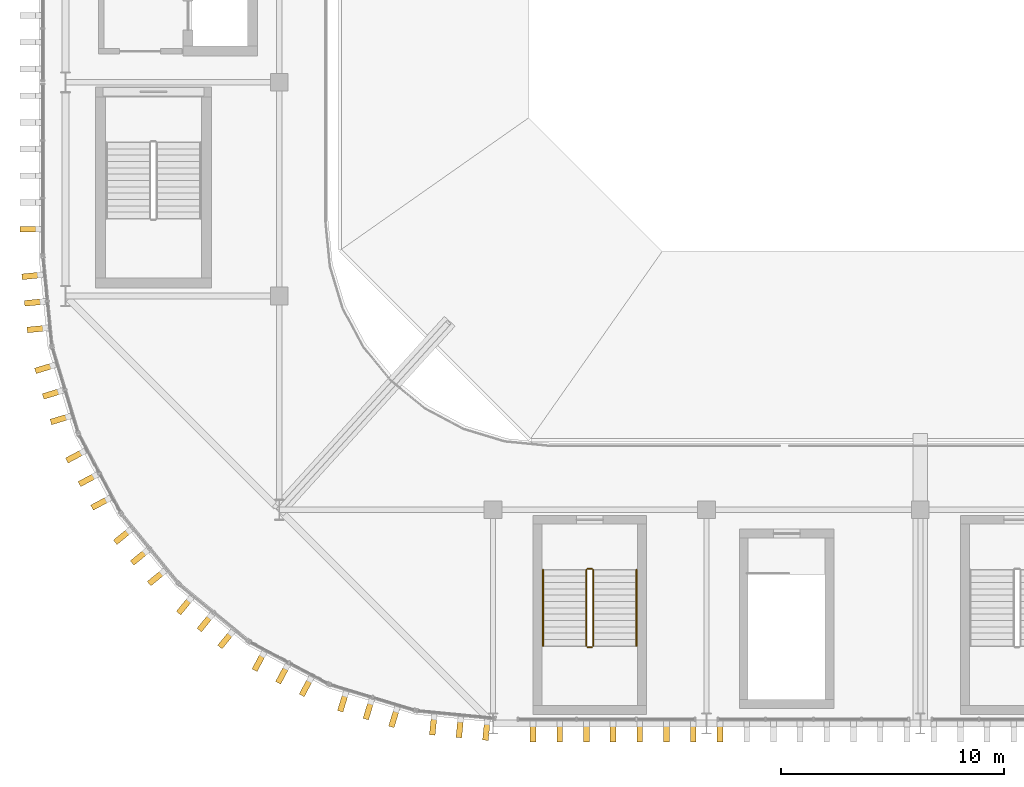
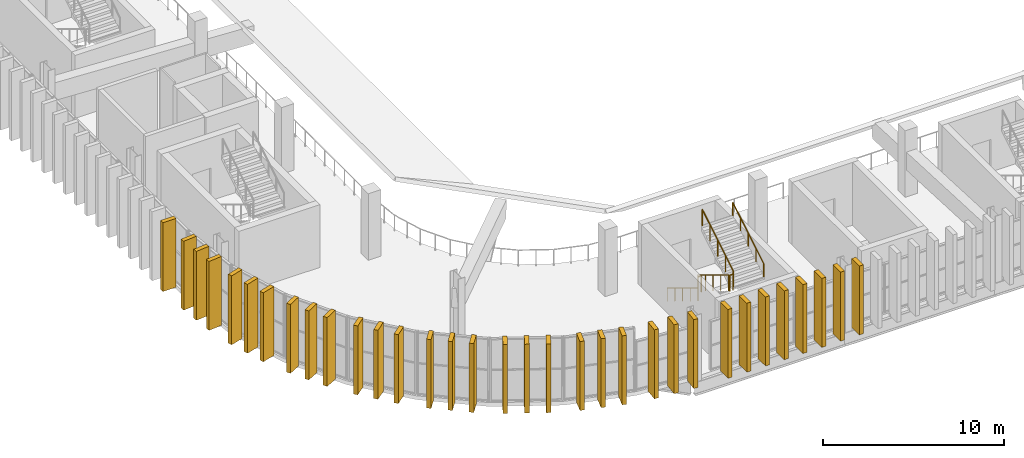
# One storey, part 54 of 69: 33 coverings, 6 railings.
"""IFC4 building model written with IfcOpenShell, lengths in metres."""

from ifc_helpers import new_model, si_unit, direction, frame, origin, origin_2d, place, context, subcontext, project, spatial, rectangle, circle, extrude, material, material_profile, profile_set, type_object, element, save


model = new_model("IFC4")

# Units and contexts
model_context = context("Model", 3, precision=1e-05, world=origin(), true_north=direction((0.0, 1.0)))
body_context = subcontext(model_context, "Body", "Model", "MODEL_VIEW")
ifc_project = project(units=[si_unit("LENGTHUNIT", "METRE"), si_unit("AREAUNIT", "SQUARE_METRE"), si_unit("VOLUMEUNIT", "CUBIC_METRE"), si_unit("PLANEANGLEUNIT", "RADIAN"), si_unit("MASSUNIT", "GRAM", prefix="KILO")], contexts=[model_context])

# Site, building, storey
site_placement = place(None, origin())
site = spatial("IfcSite", under=ifc_project, at=site_placement, CompositionType="ELEMENT")
building_placement = place(site_placement, origin())
building = spatial("IfcBuilding", under=site, at=building_placement, Name="Caelomonte Colonnade Arena", CompositionType="ELEMENT")
storey_placement = place(building_placement, frame((0.0, 0.0, 18.60009765625)))
storey = spatial("IfcBuildingStorey", under=building, at=storey_placement, Name="L04", CompositionType="ELEMENT", Elevation=18.60009765625)

# Coverings
ifc_material_1 = material(Name="Precast travertine cladding", Category="masonry")
ifc_material_profile = material_profile(ifc_material_1, rectangle(XDim=0.260009765625, YDim=0.85009765625, at=origin_2d()), Name="FIN260X850")
ifc_profile_set = profile_set([ifc_material_profile], Name="Precast travertine cladding")
covering_type = type_object("IfcCoveringType", Name="ENV-FN-SHAFT", PredefinedType="CLADDING", material=ifc_profile_set)
for number, where, z_axis, x_axis, name in (
    (1, (55.97900390625, 41.39990234375, -0.16015625), (0.0, 0.0, 1.0), (0.0, 1.0, 0.0), "V1 L04 classical travertine vertical fin 214"),
    (2, (56.065185546875, 39.304443359375, -0.16015625), (0.0, 0.0, 1.0), (-0.098015403404, 0.995184897743, 0.0), "V1 L04 classical travertine vertical fin 215"),
    (3, (56.182861328125, 38.1103515625, -0.16015625), (0.0, 0.0, 1.0), (-0.098015403404, 0.995184897743, 0.0), "V1 L04 classical travertine vertical fin 216"),
    (4, (56.30029296875, 36.916015625, -0.16015625), (0.0, 0.0, 1.0), (-0.098015403404, 0.995184897743, 0.0), "V1 L04 classical travertine vertical fin 217"),
    (5, (56.64990234375, 35.159423828125, -0.16015625), (0.0, 0.0, 1.0), (-0.290276326364, 0.956942868907, 0.0), "V1 L04 classical travertine vertical fin 218"),
    (6, (56.998046875, 34.010986328125, -0.16015625), (0.0, 0.0, 1.0), (-0.290276326364, 0.956942868907, 0.0), "V1 L04 classical travertine vertical fin 219"),
    (7, (57.346435546875, 32.86279296875, -0.16015625), (0.0, 0.0, 1.0), (-0.290276326364, 0.956942868907, 0.0), "V1 L04 classical travertine vertical fin 220"),
    (8, (58.03173828125, 31.2080078125, -0.16015625), (0.0, 0.0, 1.0), (-0.471396736826, 0.881921264348, 0.0), "V1 L04 classical travertine vertical fin 221"),
    (9, (58.597412109375, 30.14990234375, -0.16015625), (0.0, 0.0, 1.0), (-0.471396736826, 0.881921264348, 0.0), "V1 L04 classical travertine vertical fin 222"),
    (10, (59.1630859375, 29.091552734375, -0.16015625), (0.0, 0.0, 1.0), (-0.471396736826, 0.881921264348, 0.0), "V1 L04 classical travertine vertical fin 223"),
    (11, (60.158203125, 27.602294921875, -0.16015625), (0.0, 0.0, 1.0), (-0.634413521313, 0.77299384472, 0.0), "V1 L04 classical travertine vertical fin 224"),
    (12, (60.91943359375, 26.6748046875, -0.16015625), (0.0, 0.0, 1.0), (-0.634413521313, 0.77299384472, 0.0), "V1 L04 classical travertine vertical fin 225"),
    (13, (61.680908203125, 25.747314453125, -0.16015625), (0.0, 0.0, 1.0), (-0.634413521313, 0.77299384472, 0.0), "V1 L04 classical travertine vertical fin 226"),
    (14, (62.947265625, 24.480712890625, -0.16015625), (0.0, 0.0, 1.0), (-0.77299384472, 0.634413521313, 0.0), "V1 L04 classical travertine vertical fin 227"),
    (15, (63.874755859375, 23.719482421875, -0.16015625), (0.0, 0.0, 1.0), (-0.77299384472, 0.634413521313, 0.0), "V1 L04 classical travertine vertical fin 228"),
    (16, (64.802490234375, 22.958251953125, -0.16015625), (0.0, 0.0, 1.0), (-0.77299384472, 0.634413521313, 0.0), "V1 L04 classical travertine vertical fin 229"),
    (17, (66.29150390625, 21.963134765625, -0.16015625), (0.0, 0.0, 1.0), (-0.881921264348, 0.471396736826, 0.0), "V1 L04 classical travertine vertical fin 230"),
    (18, (67.349853515625, 21.3974609375, -0.16015625), (0.0, 0.0, 1.0), (-0.881921264348, 0.471396736826, 0.0), "V1 L04 classical travertine vertical fin 231"),
    (19, (68.408203125, 20.831787109375, -0.16015625), (0.0, 0.0, 1.0), (-0.881921264348, 0.471396736826, 0.0), "V1 L04 classical travertine vertical fin 232"),
    (20, (70.062744140625, 20.146484375, -0.16015625), (0.0, 0.0, 1.0), (-0.956942868907, 0.290276326364, 0.0), "V1 L04 classical travertine vertical fin 233"),
    (21, (71.211181640625, 19.798095703125, -0.16015625), (0.0, 0.0, 1.0), (-0.956942868907, 0.290276326364, 0.0), "V1 L04 classical travertine vertical fin 234"),
    (22, (72.359619140625, 19.44970703125, -0.16015625), (0.0, 0.0, 1.0), (-0.956942868907, 0.290276326364, 0.0), "V1 L04 classical travertine vertical fin 235"),
    (23, (74.1162109375, 19.100341796875, -0.16015625), (0.0, 0.0, 1.0), (-0.995184897743, 0.098015403404, 0.0), "V1 L04 classical travertine vertical fin 236"),
    (24, (75.310302734375, 18.98291015625, -0.16015625), (0.0, 0.0, 1.0), (-0.995184897743, 0.098015403404, 0.0), "V1 L04 classical travertine vertical fin 237"),
    (25, (76.50439453125, 18.865234375, -0.16015625), (0.0, 0.0, 1.0), (-0.995184897743, 0.098015403404, 0.0), "V1 L04 classical travertine vertical fin 238"),
    (26, (78.60009765625, 18.779052734375, -0.16015625), (0.0, 0.0, 1.0), (-1.0, 0.0, 0.0), "V1 L04 classical travertine vertical fin 239"),
    (27, (79.800048828125, 18.779052734375, -0.16015625), (0.0, 0.0, 1.0), (-1.0, 0.0, 0.0), "V1 L04 classical travertine vertical fin 240"),
    (28, (81.0, 18.779052734375, -0.16015625), (0.0, 0.0, 1.0), (-1.0, 0.0, 0.0), "V1 L04 classical travertine vertical fin 241"),
    (29, (82.199951171875, 18.779052734375, -0.16015625), (0.0, 0.0, 1.0), (-1.0, 0.0, 0.0), "V1 L04 classical travertine vertical fin 242"),
    (30, (83.39990234375, 18.779052734375, -0.16015625), (0.0, 0.0, 1.0), (-1.0, 0.0, 0.0), "V1 L04 classical travertine vertical fin 243"),
    (31, (84.60009765625, 18.779052734375, -0.16015625), (0.0, 0.0, 1.0), (-1.0, 0.0, 0.0), "V1 L04 classical travertine vertical fin 244"),
    (32, (85.800048828125, 18.779052734375, -0.16015625), (0.0, 0.0, 1.0), (-1.0, 0.0, 0.0), "V1 L04 classical travertine vertical fin 245"),
    (33, (87.0, 18.779052734375, -0.16015625), (0.0, 0.0, 1.0), (-1.0, 0.0, 0.0), "V1 L04 classical travertine vertical fin 246"),
):
    element("IfcCovering", number, at=place(storey_placement, frame(where, z_axis=z_axis, x_axis=x_axis)), inside=storey, type_object=covering_type, Name=name, PredefinedType="CLADDING", context=body_context, shape_type="SweptSolid", body=[
        extrude(rectangle(XDim=0.260009765625, YDim=0.85009765625, at=origin_2d()), origin(), (0.0, 0.0, 1.0), 4.66015625),
    ])

# Railings
ifc_material_2 = material(Name="Painted galvanized steel stair guard", Category="steel")
railing_type_1 = type_object("IfcRailingType", Name="INT-RL-GRD", PredefinedType="GUARDRAIL", material=ifc_material_2)
railing_1_placement = place(storey_placement, frame((81.0, 26.10009765625, 0.173095703125)))
element("IfcRailing", 34, at=railing_1_placement, inside=storey, type_object=railing_type_1, Name="L04 ST-11 stair guard 1", PredefinedType="GUARDRAIL", context=body_context, shape_type="SweptSolid", body=[
    extrude(circle(Radius=0.02392578125, at=origin_2d()), frame((0.0, 0.0, 1.076171875), z_axis=(0.0, -0.854745945586, 0.519046595696), x_axis=(1.0, 0.0, 0.0)), (0.0, 0.0, 1.0), 4.00146484375),
    extrude(circle(Radius=0.02099609375, at=origin_2d()), origin(), (0.0, 0.0, 1.0), 1.048095703125),
    extrude(circle(Radius=0.02099609375, at=origin_2d()), frame((0.0, -0.85498046875, 0.519287109375)), (0.0, 0.0, 1.0), 1.048095703125),
    extrude(circle(Radius=0.02099609375, at=origin_2d()), frame((0.0, -1.7099609375, 1.03857421875)), (0.0, 0.0, 1.0), 1.048095703125),
    extrude(circle(Radius=0.02099609375, at=origin_2d()), frame((0.0, -2.565185546875, 1.5576171875)), (0.0, 0.0, 1.0), 1.048095703125),
    extrude(circle(Radius=0.02099609375, at=origin_2d()), frame((0.0, -3.420166015625, 2.076904296875)), (0.0, 0.0, 1.0), 1.048095703125),
])
railing_2_placement = place(storey_placement, frame((81.050048828125, 22.6298828125, 2.25)))
element("IfcRailing", 35, at=railing_2_placement, inside=storey, type_object=railing_type_1, Name="L04 ST-11 stair guard 2", PredefinedType="GUARDRAIL", context=body_context, shape_type="SweptSolid", body=[
    extrude(circle(Radius=0.02392578125, at=origin_2d()), frame((0.0, 0.0, 1.076171875), z_axis=(1.0, 0.0, 0.0), x_axis=(0.0, 1.0, 0.0)), (0.0, 0.0, 1.0), 0.199951171875),
    extrude(circle(Radius=0.02099609375, at=origin_2d()), origin(), (0.0, 0.0, 1.0), 1.048095703125),
    extrude(circle(Radius=0.02099609375, at=origin_2d()), frame((0.199951171875, 0.0, 0.0)), (0.0, 0.0, 1.0), 1.048095703125),
])
railing_3_placement = place(storey_placement, frame((81.300048828125, 22.679931640625, 2.423095703125)))
element("IfcRailing", 36, at=railing_3_placement, inside=storey, type_object=railing_type_1, Name="L04 ST-11 stair guard 3", PredefinedType="GUARDRAIL", context=body_context, shape_type="SweptSolid", body=[
    extrude(circle(Radius=0.02392578125, at=origin_2d()), frame((0.0, 0.0, 1.076171875), z_axis=(0.0, 0.854745945586, 0.519046595696), x_axis=(-1.0, 0.0, 0.0)), (0.0, 0.0, 1.0), 4.00146484375),
    extrude(circle(Radius=0.02099609375, at=origin_2d()), origin(), (0.0, 0.0, 1.0), 1.048095703125),
    extrude(circle(Radius=0.02099609375, at=origin_2d()), frame((0.0, 0.85498046875, 0.519287109375)), (0.0, 0.0, 1.0), 1.048095703125),
    extrude(circle(Radius=0.02099609375, at=origin_2d()), frame((0.0, 1.7099609375, 1.03857421875)), (0.0, 0.0, 1.0), 1.048095703125),
    extrude(circle(Radius=0.02099609375, at=origin_2d()), frame((0.0, 2.565185546875, 1.5576171875)), (0.0, 0.0, 1.0), 1.048095703125),
    extrude(circle(Radius=0.02099609375, at=origin_2d()), frame((0.0, 3.420166015625, 2.076904296875)), (0.0, 0.0, 1.0), 1.048095703125),
])
railing_4_placement = place(storey_placement, frame((81.050048828125, 26.14990234375, 0.0)))
element("IfcRailing", 37, at=railing_4_placement, inside=storey, type_object=railing_type_1, Name="L04 ST-11 stair guard 4", PredefinedType="GUARDRAIL", context=body_context, shape_type="SweptSolid", body=[
    extrude(circle(Radius=0.02392578125, at=origin_2d()), frame((0.0, 0.0, 1.076171875), z_axis=(1.0, 0.0, 0.0), x_axis=(0.0, 1.0, 0.0)), (0.0, 0.0, 1.0), 0.199951171875),
    extrude(circle(Radius=0.02099609375, at=origin_2d()), origin(), (0.0, 0.0, 1.0), 1.048095703125),
    extrude(circle(Radius=0.02099609375, at=origin_2d()), frame((0.199951171875, 0.0, 0.0)), (0.0, 0.0, 1.0), 1.048095703125),
])
ifc_material_3 = material(Name="Brushed stainless steel stair handrail", Category="steel")
railing_type_2 = type_object("IfcRailingType", Name="INT-RL-HR", PredefinedType="HANDRAIL", material=ifc_material_3)
railing_5_placement = place(storey_placement, frame((79.050048828125, 26.10009765625, 0.173095703125)))
element("IfcRailing", 38, at=railing_5_placement, inside=storey, type_object=railing_type_2, Name="L04 ST-11 stair handrail 1", PredefinedType="HANDRAIL", context=body_context, shape_type="SweptSolid", body=[
    extrude(circle(Radius=0.02392578125, at=origin_2d()), frame((0.0, 0.0, 0.8759765625), z_axis=(0.0, -0.854745945586, 0.519046595696), x_axis=(1.0, 0.0, 0.0)), (0.0, 0.0, 1.0), 4.00146484375),
    extrude(circle(Radius=0.02099609375, at=origin_2d()), origin(), (0.0, 0.0, 1.0), 0.847900390625),
    extrude(circle(Radius=0.02099609375, at=origin_2d()), frame((0.0, -0.85498046875, 0.519287109375)), (0.0, 0.0, 1.0), 0.847900390625),
    extrude(circle(Radius=0.02099609375, at=origin_2d()), frame((0.0, -1.7099609375, 1.03857421875)), (0.0, 0.0, 1.0), 0.847900390625),
    extrude(circle(Radius=0.02099609375, at=origin_2d()), frame((0.0, -2.565185546875, 1.5576171875)), (0.0, 0.0, 1.0), 0.847900390625),
    extrude(circle(Radius=0.02099609375, at=origin_2d()), frame((0.0, -3.420166015625, 2.076904296875)), (0.0, 0.0, 1.0), 0.847900390625),
])
railing_6_placement = place(storey_placement, frame((83.25, 22.679931640625, 2.423095703125)))
element("IfcRailing", 39, at=railing_6_placement, inside=storey, type_object=railing_type_2, Name="L04 ST-11 stair handrail 2", PredefinedType="HANDRAIL", context=body_context, shape_type="SweptSolid", body=[
    extrude(circle(Radius=0.02392578125, at=origin_2d()), frame((0.0, 0.0, 0.8759765625), z_axis=(0.0, 0.854745945586, 0.519046595696), x_axis=(-1.0, 0.0, 0.0)), (0.0, 0.0, 1.0), 4.00146484375),
    extrude(circle(Radius=0.02099609375, at=origin_2d()), origin(), (0.0, 0.0, 1.0), 0.847900390625),
    extrude(circle(Radius=0.02099609375, at=origin_2d()), frame((0.0, 0.85498046875, 0.519287109375)), (0.0, 0.0, 1.0), 0.847900390625),
    extrude(circle(Radius=0.02099609375, at=origin_2d()), frame((0.0, 1.7099609375, 1.03857421875)), (0.0, 0.0, 1.0), 0.847900390625),
    extrude(circle(Radius=0.02099609375, at=origin_2d()), frame((0.0, 2.565185546875, 1.5576171875)), (0.0, 0.0, 1.0), 0.847900390625),
    extrude(circle(Radius=0.02099609375, at=origin_2d()), frame((0.0, 3.420166015625, 2.076904296875)), (0.0, 0.0, 1.0), 0.847900390625),
])

save(model, "model.ifc")
